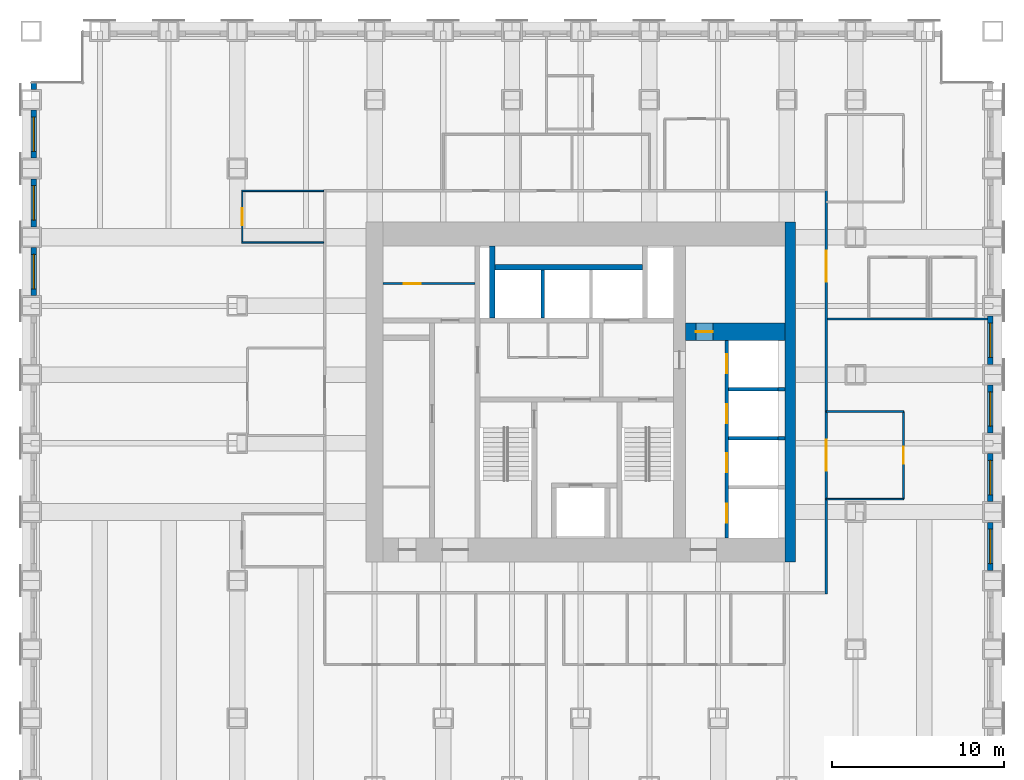
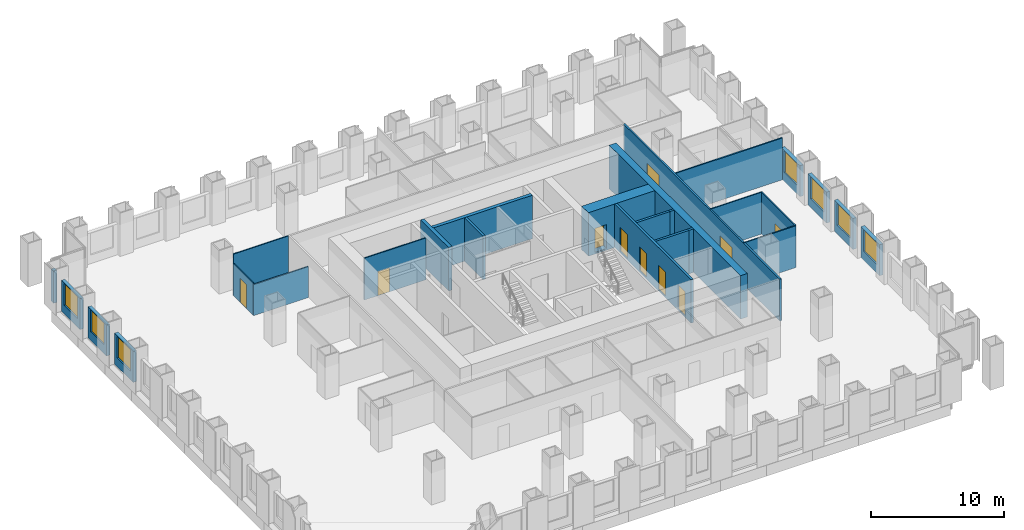
# One storey, part 10 of 14: 27 walls, 10 doors, 7 windows, 17 openings.
"""IFC4 building model written with IfcOpenShell, lengths in metres."""

from ifc_helpers import new_model, si_unit, direction, frame, frame_2d, origin, place, context, subcontext, project, spatial, rectangle, extrude, material, layer, layer_set, type_object, element, fill, save


model = new_model("IFC4")

# Units and contexts
model_context = context("Model", 3, precision=1e-05, world=origin(), true_north=direction((0.0, 1.0)))
body_context = subcontext(model_context, "Body", "Model", "MODEL_VIEW")
ifc_project = project(units=[si_unit("LENGTHUNIT", "METRE"), si_unit("AREAUNIT", "SQUARE_METRE"), si_unit("VOLUMEUNIT", "CUBIC_METRE"), si_unit("PLANEANGLEUNIT", "RADIAN"), si_unit("MASSUNIT", "GRAM", prefix="KILO")], contexts=[model_context])

# Site, building, storey
site_placement = place(None, origin())
site = spatial("IfcSite", under=ifc_project, at=site_placement, CompositionType="ELEMENT")
building_placement = place(site_placement, origin())
building = spatial("IfcBuilding", under=site, at=building_placement, Name="Rimbunsela Tower", CompositionType="ELEMENT")
storey_placement = place(building_placement, frame((0.0, 0.0, 51.0)))
storey = spatial("IfcBuildingStorey", under=building, at=storey_placement, Name="L12", CompositionType="ELEMENT", Elevation=51.0)

# Walls
ifc_material_1 = material(Name="Concrete fc' 80 MPa", Category="concrete")
ifc_layer_1 = layer(ifc_material_1, 0.300048828125)
ifc_layer_set_1 = layer_set([ifc_layer_1], Name="Core internal wall 300")
wall_type_1 = type_object("IfcWallType", Name="Core internal wall 300", PredefinedType="SHEAR", material=ifc_layer_set_1)
wall_1_placement = place(storey_placement, frame((24.85009765625, 31.300048828125, -0.14990234375), z_axis=(0.0, 0.0, 1.0), x_axis=(0.0, 1.0, 0.0)))
element("IfcWall", 1, at=wall_1_placement, inside=storey, type_object=wall_type_1, Name="Riser wall", PredefinedType="SHEAR", context=body_context, shape_type="SweptSolid", body=[
    extrude(rectangle(XDim=4.199951171875, YDim=0.300048828125, at=frame_2d((2.10009765625, 0.0))), origin(), (0.0, 0.0, 1.0), 4.0),
])
wall_2_placement = place(storey_placement, frame((25.0, 34.25, -0.14990234375), z_axis=(0.0, 0.0, 1.0), x_axis=(1.0, 0.0, 0.0)))
element("IfcWall", 2, at=wall_2_placement, inside=storey, type_object=wall_type_1, Name="Lift shaft rear north", PredefinedType="SHEAR", context=body_context, shape_type="SweptSolid", body=[
    extrude(rectangle(XDim=8.60009765625, YDim=0.300048828125, at=frame_2d((4.300048828125, 0.0))), origin(), (0.0, 0.0, 1.0), 4.0),
])

# Wall, opening, door
ifc_material_2 = material(Name="Concrete blockwork", Category="masonry")
ifc_layer_2 = layer(ifc_material_2, 0.10009765625)
ifc_layer_set_2 = layer_set([ifc_layer_2], Name="Core room partition 100")
wall_type_2 = type_object("IfcWallType", Name="Core room partition 100", PredefinedType="PARTITIONING", material=ifc_layer_set_2)
wall_3_placement = place(storey_placement, frame((18.5, 33.300048828125, 0.0), z_axis=(0.0, 0.0, 1.0), x_axis=(1.0, 0.0, 0.0)))
wall_3 = element("IfcWall", 3, at=wall_3_placement, inside=storey, type_object=wall_type_2, Name="Equipment store wall", PredefinedType="PARTITIONING", context=body_context, shape_type="SweptSolid", body=[
    extrude(rectangle(XDim=5.35009765625, YDim=0.10009765625, at=frame_2d((2.675048828125, 0.0))), origin(), (0.0, 0.0, 1.0), 3.85009765625),
])
opening_1_placement = place(wall_3_placement, frame((1.199951171875, 0.0, 0.0)))
opening_1 = element("IfcOpeningElement", 4, at=opening_1_placement, cuts=wall_3, Name="Opening D19", PredefinedType="OPENING", context=body_context, shape_type="SweptSolid", body=[
    extrude(rectangle(XDim=1.0, YDim=2.199951171875, at=frame_2d((0.5, 1.10009765625))), frame((0.0, 0.06005859375, 0.0), z_axis=(0.0, -1.0, 0.0), x_axis=(1.0, 0.0, 0.0)), (0.0, 0.0, 1.0), 0.1201171875),
])
ifc_material_3 = material(Name="Steel door, fire rated", Category="steel")
door_type_1 = type_object("IfcDoorType", Name="Service door 1000 fire rated", OperationType="SINGLE_SWING_LEFT", PredefinedType="DOOR", material=ifc_material_3)
door_1_placement = place(opening_1_placement, origin())
door_1 = element("IfcDoor", 5, at=door_1_placement, inside=storey, type_object=door_type_1, Name="Equipment store door", OperationType="SINGLE_SWING_LEFT", OverallHeight=2.199951171875, OverallWidth=1.0, PredefinedType="DOOR", context=body_context, shape_type="SweptSolid", body=[
    extrude(rectangle(XDim=1.0, YDim=2.199951171875, at=frame_2d((0.5, 1.10009765625))), frame((0.0, 0.02490234375, 0.0), z_axis=(0.0, -1.0, 0.0), x_axis=(1.0, 0.0, 0.0)), (0.0, 0.0, 1.0), 0.050048828125),
])
fill(opening_1, door_1)

ifc_material_4 = material(Name="Concrete fc' 80 MPa", Category="concrete")
ifc_layer_3 = layer(ifc_material_4, 1.0)
ifc_layer_set_3 = layer_set([ifc_layer_3], Name="Core wall 1000")
wall_type_3 = type_object("IfcWallType", Name="Core wall 1000", PredefinedType="SHEAR", material=ifc_layer_set_3)
wall_4_placement = place(storey_placement, frame((36.10009765625, 30.5, -0.14990234375), z_axis=(0.0, 0.0, 1.0), x_axis=(1.0, 0.0, 0.0)))
wall_4 = element("IfcWall", 6, at=wall_4_placement, inside=storey, type_object=wall_type_3, Name="Lift shaft rear east", PredefinedType="SHEAR", context=body_context, shape_type="SweptSolid", body=[
    extrude(rectangle(XDim=5.7998046875, YDim=1.0, at=frame_2d((2.89990234375, 0.0))), origin(), (0.0, 0.0, 1.0), 4.0),
])
opening_2_placement = place(wall_4_placement, frame((0.60009765625, 0.0, 0.14990234375)))
opening_2 = element("IfcOpeningElement", 7, at=opening_2_placement, cuts=wall_4, Name="Opening D19", PredefinedType="OPENING", context=body_context, shape_type="SweptSolid", body=[
    extrude(rectangle(XDim=1.0, YDim=2.199951171875, at=frame_2d((0.5, 1.10009765625))), frame((0.0, 0.510009765625, 0.0), z_axis=(0.0, -1.0, 0.0), x_axis=(1.0, 0.0, 0.0)), (0.0, 0.0, 1.0), 1.02001953125),
])
door_2_placement = place(opening_2_placement, origin())
door_2 = element("IfcDoor", 8, at=door_2_placement, inside=storey, type_object=door_type_1, Name="Communications room door", OperationType="SINGLE_SWING_LEFT", OverallHeight=2.199951171875, OverallWidth=1.0, PredefinedType="DOOR", context=body_context, shape_type="SweptSolid", body=[
    extrude(rectangle(XDim=1.0, YDim=2.199951171875, at=frame_2d((0.5, 1.10009765625))), frame((0.0, 0.02490234375, 0.0), z_axis=(0.0, -1.0, 0.0), x_axis=(1.0, 0.0, 0.0)), (0.0, 0.0, 1.0), 0.050048828125),
])
fill(opening_2, door_2)

# Walls
ifc_material_5 = material(Name="Concrete fc' 80 MPa", Category="concrete")
ifc_layer_4 = layer(ifc_material_5, 0.60009765625)
ifc_layer_set_4 = layer_set([ifc_layer_4], Name="Core wall 600")
wall_type_4 = type_object("IfcWallType", Name="Core wall 600", PredefinedType="SHEAR", material=ifc_layer_set_4)
wall_5_placement = place(storey_placement, frame((42.199951171875, 17.10009765625, -0.14990234375), z_axis=(0.0, 0.0, 1.0), x_axis=(0.0, 1.0, 0.0)))
element("IfcWall", 9, at=wall_5_placement, inside=storey, type_object=wall_type_4, Name="Core wall east", PredefinedType="SHEAR", context=body_context, shape_type="SweptSolid", body=[
    extrude(rectangle(XDim=19.7998046875, YDim=0.60009765625, at=frame_2d((9.89990234375, 0.0))), origin(), (0.0, 0.0, 1.0), 4.0),
])
ifc_material_6 = material(Name="Concrete blockwork", Category="masonry")
ifc_layer_5 = layer(ifc_material_6, 0.199951171875)
ifc_layer_set_5 = layer_set([ifc_layer_5], Name="Lift shaft wall 200")
wall_type_5 = type_object("IfcWallType", Name="Lift shaft wall 200", PredefinedType="SOLIDWALL", material=ifc_layer_set_5)
wall_6_placement = place(storey_placement, frame((27.800048828125, 31.300048828125, -0.14990234375), z_axis=(0.0, 0.0, 1.0), x_axis=(0.0, 1.0, 0.0)))
element("IfcWall", 10, at=wall_6_placement, inside=storey, type_object=wall_type_5, Name="Lift shaft separation", PredefinedType="SOLIDWALL", context=body_context, shape_type="SweptSolid", body=[
    extrude(rectangle(XDim=2.800048828125, YDim=0.199951171875, at=frame_2d((1.39990234375, 0.0))), origin(), (0.0, 0.0, 1.0), 4.0),
])

# Wall, openings, doors
wall_7_placement = place(storey_placement, frame((38.5, 18.5, -0.14990234375), z_axis=(0.0, 0.0, 1.0), x_axis=(0.0, 1.0, 0.0)))
wall_7 = element("IfcWall", 11, at=wall_7_placement, inside=storey, type_object=wall_type_5, Name="Lift shaft front east", PredefinedType="SOLIDWALL", context=body_context, shape_type="SweptSolid", body=[
    extrude(rectangle(XDim=11.5, YDim=0.199951171875, at=frame_2d((5.75, 0.0))), origin(), (0.0, 0.0, 1.0), 4.0),
])
opening_3_placement = place(wall_7_placement, frame((0.875, 0.0, 0.14990234375)))
opening_3 = element("IfcOpeningElement", 12, at=opening_3_placement, cuts=wall_7, Name="Opening LD1", PredefinedType="OPENING", context=body_context, shape_type="SweptSolid", body=[
    extrude(rectangle(XDim=1.10009765625, YDim=2.199951171875, at=frame_2d((0.550048828125, 1.10009765625))), frame((0.0, 0.10986328125, 0.0), z_axis=(0.0, -1.0, 0.0), x_axis=(1.0, 0.0, 0.0)), (0.0, 0.0, 1.0), 0.219970703125),
])
opening_4_placement = place(wall_7_placement, frame((3.824951171875, 0.0, 0.14990234375)))
opening_4 = element("IfcOpeningElement", 13, at=opening_4_placement, cuts=wall_7, Name="Opening LD1", PredefinedType="OPENING", context=body_context, shape_type="SweptSolid", body=[
    extrude(rectangle(XDim=1.10009765625, YDim=2.199951171875, at=frame_2d((0.550048828125, 1.10009765625))), frame((0.0, 0.10986328125, 0.0), z_axis=(0.0, -1.0, 0.0), x_axis=(1.0, 0.0, 0.0)), (0.0, 0.0, 1.0), 0.219970703125),
])
opening_5_placement = place(wall_7_placement, frame((6.675048828125, 0.0, 0.14990234375)))
opening_5 = element("IfcOpeningElement", 14, at=opening_5_placement, cuts=wall_7, Name="Opening LD1", PredefinedType="OPENING", context=body_context, shape_type="SweptSolid", body=[
    extrude(rectangle(XDim=1.10009765625, YDim=2.199951171875, at=frame_2d((0.550048828125, 1.10009765625))), frame((0.0, 0.10986328125, 0.0), z_axis=(0.0, -1.0, 0.0), x_axis=(1.0, 0.0, 0.0)), (0.0, 0.0, 1.0), 0.219970703125),
])
opening_6_placement = place(wall_7_placement, frame((9.574951171875, 0.0, 0.14990234375)))
opening_6 = element("IfcOpeningElement", 15, at=opening_6_placement, cuts=wall_7, Name="Opening LD1", PredefinedType="OPENING", context=body_context, shape_type="SweptSolid", body=[
    extrude(rectangle(XDim=1.10009765625, YDim=2.199951171875, at=frame_2d((0.550048828125, 1.10009765625))), frame((0.0, 0.10986328125, 0.0), z_axis=(0.0, -1.0, 0.0), x_axis=(1.0, 0.0, 0.0)), (0.0, 0.0, 1.0), 0.219970703125),
])
ifc_material_7 = material(Name="Steel door, fire rated", Category="steel")
door_type_2 = type_object("IfcDoorType", Name="Lift landing door 1100", OperationType="DOUBLE_DOOR_SLIDING", PredefinedType="DOOR", material=ifc_material_7)
door_3_placement = place(opening_3_placement, origin())
door_3 = element("IfcDoor", 16, at=door_3_placement, inside=storey, type_object=door_type_2, Name="Lift landing door LL1", OperationType="DOUBLE_DOOR_SLIDING", OverallHeight=2.199951171875, OverallWidth=1.10009765625, PredefinedType="DOOR", context=body_context, shape_type="SweptSolid", body=[
    extrude(rectangle(XDim=1.10009765625, YDim=2.199951171875, at=frame_2d((0.550048828125, 1.10009765625))), frame((0.0, 0.02490234375, 0.0), z_axis=(0.0, -1.0, 0.0), x_axis=(1.0, 0.0, 0.0)), (0.0, 0.0, 1.0), 0.050048828125),
])
fill(opening_3, door_3)
door_4_placement = place(opening_4_placement, origin())
door_4 = element("IfcDoor", 17, at=door_4_placement, inside=storey, type_object=door_type_2, Name="Lift landing door LL2", OperationType="DOUBLE_DOOR_SLIDING", OverallHeight=2.199951171875, OverallWidth=1.10009765625, PredefinedType="DOOR", context=body_context, shape_type="SweptSolid", body=[
    extrude(rectangle(XDim=1.10009765625, YDim=2.199951171875, at=frame_2d((0.550048828125, 1.10009765625))), frame((0.0, 0.02490234375, 0.0), z_axis=(0.0, -1.0, 0.0), x_axis=(1.0, 0.0, 0.0)), (0.0, 0.0, 1.0), 0.050048828125),
])
fill(opening_4, door_4)
door_5_placement = place(opening_5_placement, origin())
door_5 = element("IfcDoor", 18, at=door_5_placement, inside=storey, type_object=door_type_2, Name="Lift landing door LL3", OperationType="DOUBLE_DOOR_SLIDING", OverallHeight=2.199951171875, OverallWidth=1.10009765625, PredefinedType="DOOR", context=body_context, shape_type="SweptSolid", body=[
    extrude(rectangle(XDim=1.10009765625, YDim=2.199951171875, at=frame_2d((0.550048828125, 1.10009765625))), frame((0.0, 0.02490234375, 0.0), z_axis=(0.0, -1.0, 0.0), x_axis=(1.0, 0.0, 0.0)), (0.0, 0.0, 1.0), 0.050048828125),
])
fill(opening_5, door_5)
door_6_placement = place(opening_6_placement, origin())
door_6 = element("IfcDoor", 19, at=door_6_placement, inside=storey, type_object=door_type_2, Name="Lift landing door LL4", OperationType="DOUBLE_DOOR_SLIDING", OverallHeight=2.199951171875, OverallWidth=1.10009765625, PredefinedType="DOOR", context=body_context, shape_type="SweptSolid", body=[
    extrude(rectangle(XDim=1.10009765625, YDim=2.199951171875, at=frame_2d((0.550048828125, 1.10009765625))), frame((0.0, 0.02490234375, 0.0), z_axis=(0.0, -1.0, 0.0), x_axis=(1.0, 0.0, 0.0)), (0.0, 0.0, 1.0), 0.050048828125),
])
fill(opening_6, door_6)

# Walls
wall_8_placement = place(storey_placement, frame((38.60009765625, 24.300048828125, -0.14990234375), z_axis=(0.0, 0.0, 1.0), x_axis=(1.0, 0.0, 0.0)))
element("IfcWall", 20, at=wall_8_placement, inside=storey, type_object=wall_type_5, Name="Lift shaft separation", PredefinedType="SOLIDWALL", context=body_context, shape_type="SweptSolid", body=[
    extrude(rectangle(XDim=2.89990234375, YDim=0.199951171875, at=frame_2d((1.449951171875, 0.0))), origin(), (0.0, 0.0, 1.0), 4.0),
])
wall_9_placement = place(storey_placement, frame((41.5, 24.300048828125, -0.14990234375), z_axis=(0.0, 0.0, 1.0), x_axis=(1.0, 0.0, 0.0)))
element("IfcWall", 21, at=wall_9_placement, inside=storey, type_object=wall_type_5, Name="Lift shaft separation", PredefinedType="SOLIDWALL", context=body_context, shape_type="SweptSolid", body=[
    extrude(rectangle(XDim=0.39990234375, YDim=0.199951171875, at=frame_2d((0.199951171875, 0.0))), origin(), (0.0, 0.0, 1.0), 4.0),
])
wall_10_placement = place(storey_placement, frame((38.60009765625, 27.14990234375, -0.14990234375), z_axis=(0.0, 0.0, 1.0), x_axis=(1.0, 0.0, 0.0)))
element("IfcWall", 22, at=wall_10_placement, inside=storey, type_object=wall_type_5, Name="Lift shaft separation", PredefinedType="SOLIDWALL", context=body_context, shape_type="SweptSolid", body=[
    extrude(rectangle(XDim=2.89990234375, YDim=0.199951171875, at=frame_2d((1.449951171875, 0.0))), origin(), (0.0, 0.0, 1.0), 4.0),
])
wall_11_placement = place(storey_placement, frame((41.5, 27.14990234375, -0.14990234375), z_axis=(0.0, 0.0, 1.0), x_axis=(1.0, 0.0, 0.0)))
element("IfcWall", 23, at=wall_11_placement, inside=storey, type_object=wall_type_5, Name="Lift shaft separation", PredefinedType="SOLIDWALL", context=body_context, shape_type="SweptSolid", body=[
    extrude(rectangle(XDim=0.39990234375, YDim=0.199951171875, at=frame_2d((0.199951171875, 0.0))), origin(), (0.0, 0.0, 1.0), 4.0),
])
ifc_material_8 = material(Name="Gypsum board on steel studs", Category="steel")
ifc_layer_6 = layer(ifc_material_8, 0.10009765625)
ifc_layer_set_6 = layer_set([ifc_layer_6], Name="Office partition 100")
wall_type_6 = type_object("IfcWallType", Name="Office partition 100", PredefinedType="PARTITIONING", material=ifc_layer_set_6)
wall_12_placement = place(storey_placement, frame((10.25, 35.699951171875, 0.0), z_axis=(0.0, 0.0, 1.0), x_axis=(1.0, 0.0, 0.0)))
element("IfcWall", 24, at=wall_12_placement, inside=storey, type_object=wall_type_6, Name="Office partition", PredefinedType="PARTITIONING", context=body_context, shape_type="SweptSolid", body=[
    extrude(rectangle(XDim=4.77490234375, YDim=0.10009765625, at=frame_2d((2.387451171875, 0.0))), origin(), (0.0, 0.0, 1.0), 2.85009765625),
])
wall_13_placement = place(storey_placement, frame((10.25, 38.699951171875, 0.0), z_axis=(0.0, 0.0, 1.0), x_axis=(1.0, 0.0, 0.0)))
element("IfcWall", 25, at=wall_13_placement, inside=storey, type_object=wall_type_6, Name="Office partition", PredefinedType="PARTITIONING", context=body_context, shape_type="SweptSolid", body=[
    extrude(rectangle(XDim=4.77490234375, YDim=0.10009765625, at=frame_2d((2.387451171875, 0.0))), origin(), (0.0, 0.0, 1.0), 3.85009765625),
])

# Wall, opening, door
wall_14_placement = place(storey_placement, frame((10.300048828125, 35.75, 0.0), z_axis=(0.0, 0.0, 1.0), x_axis=(0.0, 1.0, 0.0)))
wall_14 = element("IfcWall", 26, at=wall_14_placement, inside=storey, type_object=wall_type_6, Name="Office partition", PredefinedType="PARTITIONING", context=body_context, shape_type="SweptSolid", body=[
    extrude(rectangle(XDim=2.89990234375, YDim=0.10009765625, at=frame_2d((1.449951171875, 0.0))), origin(), (0.0, 0.0, 1.0), 2.949951171875),
])
opening_7_placement = place(wall_14_placement, frame((0.949951171875, 0.0, 0.0)))
opening_7 = element("IfcOpeningElement", 27, at=opening_7_placement, cuts=wall_14, Name="Opening D16", PredefinedType="OPENING", context=body_context, shape_type="SweptSolid", body=[
    extrude(rectangle(XDim=1.0, YDim=2.199951171875, at=frame_2d((0.5, 1.10009765625))), frame((0.0, 0.06005859375, 0.0), z_axis=(0.0, -1.0, 0.0), x_axis=(1.0, 0.0, 0.0)), (0.0, 0.0, 1.0), 0.1201171875),
])
ifc_material_9 = material(Name="Timber door", Category="wood")
door_type_3 = type_object("IfcDoorType", Name="Office door 1000", OperationType="SINGLE_SWING_LEFT", PredefinedType="DOOR", material=ifc_material_9)
door_7_placement = place(opening_7_placement, origin())
door_7 = element("IfcDoor", 28, at=door_7_placement, inside=storey, type_object=door_type_3, Name="Office door", OperationType="SINGLE_SWING_LEFT", OverallHeight=2.199951171875, OverallWidth=1.0, PredefinedType="DOOR", context=body_context, shape_type="SweptSolid", body=[
    extrude(rectangle(XDim=1.0, YDim=2.199951171875, at=frame_2d((0.5, 1.10009765625))), frame((0.0, 0.02490234375, 0.0), z_axis=(0.0, -1.0, 0.0), x_axis=(1.0, 0.0, 0.0)), (0.0, 0.0, 1.0), 0.050048828125),
])
fill(opening_7, door_7)

# Wall
wall_15_placement = place(storey_placement, frame((44.300048828125, 20.75, 0.0), z_axis=(0.0, 0.0, 1.0), x_axis=(1.0, 0.0, 0.0)))
element("IfcWall", 29, at=wall_15_placement, inside=storey, type_object=wall_type_6, Name="Office partition", PredefinedType="PARTITIONING", context=body_context, shape_type="SweptSolid", body=[
    extrude(rectangle(XDim=4.5, YDim=0.10009765625, at=frame_2d((2.25, 0.0))), origin(), (0.0, 0.0, 1.0), 3.85009765625),
])

# Wall, opening, door
wall_16_placement = place(storey_placement, frame((48.800048828125, 20.75, 0.0), z_axis=(0.0, 0.0, 1.0), x_axis=(0.0, 1.0, 0.0)))
wall_16 = element("IfcWall", 30, at=wall_16_placement, inside=storey, type_object=wall_type_6, Name="Office partition", PredefinedType="PARTITIONING", context=body_context, shape_type="SweptSolid", body=[
    extrude(rectangle(XDim=5.10009765625, YDim=0.10009765625, at=frame_2d((2.550048828125, 0.0))), origin(), (0.0, 0.0, 1.0), 3.85009765625),
])
opening_8_placement = place(wall_16_placement, frame((2.050048828125, 0.0, 0.0)))
opening_8 = element("IfcOpeningElement", 31, at=opening_8_placement, cuts=wall_16, Name="Opening D17", PredefinedType="OPENING", context=body_context, shape_type="SweptSolid", body=[
    extrude(rectangle(XDim=1.0, YDim=2.199951171875, at=frame_2d((0.5, 1.10009765625))), frame((0.0, 0.06005859375, 0.0), z_axis=(0.0, -1.0, 0.0), x_axis=(1.0, 0.0, 0.0)), (0.0, 0.0, 1.0), 0.1201171875),
])
ifc_material_10 = material(Name="Glazed aluminium door", Category="aluminium")
door_type_4 = type_object("IfcDoorType", Name="Meeting room door 1000 glazed", OperationType="SINGLE_SWING_RIGHT", PredefinedType="DOOR", material=ifc_material_10)
door_8_placement = place(opening_8_placement, origin())
door_8 = element("IfcDoor", 32, at=door_8_placement, inside=storey, type_object=door_type_4, Name="Reception door", OperationType="SINGLE_SWING_RIGHT", OverallHeight=2.199951171875, OverallWidth=1.0, PredefinedType="DOOR", context=body_context, shape_type="SweptSolid", body=[
    extrude(rectangle(XDim=1.0, YDim=2.199951171875, at=frame_2d((0.5, 1.10009765625))), frame((0.0, 0.02490234375, 0.0), z_axis=(0.0, -1.0, 0.0), x_axis=(1.0, 0.0, 0.0)), (0.0, 0.0, 1.0), 0.050048828125),
])
fill(opening_8, door_8)

# Wall
wall_17_placement = place(storey_placement, frame((48.800048828125, 25.85009765625, 0.0), z_axis=(0.0, 0.0, 1.0), x_axis=(-1.0, 0.0, 0.0)))
element("IfcWall", 33, at=wall_17_placement, inside=storey, type_object=wall_type_6, Name="Office partition", PredefinedType="PARTITIONING", context=body_context, shape_type="SweptSolid", body=[
    extrude(rectangle(XDim=4.5, YDim=0.10009765625, at=frame_2d((2.25, 0.0))), origin(), (0.0, 0.0, 1.0), 3.85009765625),
])

# Wall, opening, window
ifc_material_11 = material(Name="Precast concrete fc' 35 MPa", Category="concrete")
ifc_layer_7 = layer(ifc_material_11, 0.300048828125)
ifc_layer_set_7 = layer_set([ifc_layer_7], Name="Precast concrete fc' 35 MPa")
wall_type_7 = type_object("IfcWallType", Name="Precast facade panel 300", PredefinedType="ELEMENTEDWALL", material=ifc_layer_set_7)
wall_18_placement = place(storey_placement, frame((53.85009765625, 16.60009765625, 0.0), z_axis=(0.0, 0.0, 1.0), x_axis=(0.0, 1.0, 0.0)))
wall_18 = element("IfcWall", 34, at=wall_18_placement, inside=storey, type_object=wall_type_7, Name="Facade panel E L12", PredefinedType="ELEMENTEDWALL", context=body_context, shape_type="SweptSolid", body=[
    extrude(rectangle(XDim=2.7998046875, YDim=0.300048828125, at=frame_2d((1.39990234375, 0.0))), origin(), (0.0, 0.0, 1.0), 2.85009765625),
])
opening_9_placement = place(wall_18_placement, frame((0.39990234375, 0.0, 0.800048828125)))
opening_9 = element("IfcOpeningElement", 35, at=opening_9_placement, cuts=wall_18, Name="Opening W1", PredefinedType="OPENING", context=body_context, shape_type="SweptSolid", body=[
    extrude(rectangle(XDim=2.0, YDim=2.0, at=frame_2d((1.0, 1.0))), frame((0.0, 0.159912109375, 0.0), z_axis=(0.0, -1.0, 0.0), x_axis=(1.0, 0.0, 0.0)), (0.0, 0.0, 1.0), 0.320068359375),
])
ifc_material_12 = material(Name="Clear glass in aluminium frame", Category="aluminium")
window_type = type_object("IfcWindowType", Name="Window W1 2000x2000", PartitioningType="DOUBLE_PANEL_VERTICAL", PredefinedType="WINDOW", material=ifc_material_12)
window_1_placement = place(opening_9_placement, origin())
window_1 = element("IfcWindow", 36, at=window_1_placement, inside=storey, type_object=window_type, Name="Window L12", OverallHeight=2.0, OverallWidth=2.0, PartitioningType="SINGLE_PANEL", PredefinedType="WINDOW", context=body_context, shape_type="SweptSolid", body=[
    extrude(rectangle(XDim=2.0, YDim=2.0, at=frame_2d((1.0, 1.0))), frame((0.0, 0.030029296875, 0.0), z_axis=(0.0, -1.0, 0.0), x_axis=(1.0, 0.0, 0.0)), (0.0, 0.0, 1.0), 0.06005859375),
])
fill(opening_9, window_1)

wall_19_placement = place(storey_placement, frame((53.85009765625, 20.60009765625, 0.0), z_axis=(0.0, 0.0, 1.0), x_axis=(0.0, 1.0, 0.0)))
wall_19 = element("IfcWall", 37, at=wall_19_placement, inside=storey, type_object=wall_type_7, Name="Facade panel E L12", PredefinedType="ELEMENTEDWALL", context=body_context, shape_type="SweptSolid", body=[
    extrude(rectangle(XDim=2.7998046875, YDim=0.300048828125, at=frame_2d((1.39990234375, 0.0))), origin(), (0.0, 0.0, 1.0), 2.85009765625),
])
opening_10_placement = place(wall_19_placement, frame((0.39990234375, 0.0, 0.800048828125)))
opening_10 = element("IfcOpeningElement", 38, at=opening_10_placement, cuts=wall_19, Name="Opening W1", PredefinedType="OPENING", context=body_context, shape_type="SweptSolid", body=[
    extrude(rectangle(XDim=2.0, YDim=2.0, at=frame_2d((1.0, 1.0))), frame((0.0, 0.159912109375, 0.0), z_axis=(0.0, -1.0, 0.0), x_axis=(1.0, 0.0, 0.0)), (0.0, 0.0, 1.0), 0.320068359375),
])
window_2_placement = place(opening_10_placement, origin())
window_2 = element("IfcWindow", 39, at=window_2_placement, inside=storey, type_object=window_type, Name="Window L12", OverallHeight=2.0, OverallWidth=2.0, PartitioningType="SINGLE_PANEL", PredefinedType="WINDOW", context=body_context, shape_type="SweptSolid", body=[
    extrude(rectangle(XDim=2.0, YDim=2.0, at=frame_2d((1.0, 1.0))), frame((0.0, 0.030029296875, 0.0), z_axis=(0.0, -1.0, 0.0), x_axis=(1.0, 0.0, 0.0)), (0.0, 0.0, 1.0), 0.06005859375),
])
fill(opening_10, window_2)

wall_20_placement = place(storey_placement, frame((53.85009765625, 24.60009765625, 0.0), z_axis=(0.0, 0.0, 1.0), x_axis=(0.0, 1.0, 0.0)))
wall_20 = element("IfcWall", 40, at=wall_20_placement, inside=storey, type_object=wall_type_7, Name="Facade panel E L12", PredefinedType="ELEMENTEDWALL", context=body_context, shape_type="SweptSolid", body=[
    extrude(rectangle(XDim=2.7998046875, YDim=0.300048828125, at=frame_2d((1.39990234375, 0.0))), origin(), (0.0, 0.0, 1.0), 2.85009765625),
])
opening_11_placement = place(wall_20_placement, frame((0.39990234375, 0.0, 0.800048828125)))
opening_11 = element("IfcOpeningElement", 41, at=opening_11_placement, cuts=wall_20, Name="Opening W1", PredefinedType="OPENING", context=body_context, shape_type="SweptSolid", body=[
    extrude(rectangle(XDim=2.0, YDim=2.0, at=frame_2d((1.0, 1.0))), frame((0.0, 0.159912109375, 0.0), z_axis=(0.0, -1.0, 0.0), x_axis=(1.0, 0.0, 0.0)), (0.0, 0.0, 1.0), 0.320068359375),
])
window_3_placement = place(opening_11_placement, origin())
window_3 = element("IfcWindow", 42, at=window_3_placement, inside=storey, type_object=window_type, Name="Window L12", OverallHeight=2.0, OverallWidth=2.0, PartitioningType="SINGLE_PANEL", PredefinedType="WINDOW", context=body_context, shape_type="SweptSolid", body=[
    extrude(rectangle(XDim=2.0, YDim=2.0, at=frame_2d((1.0, 1.0))), frame((0.0, 0.030029296875, 0.0), z_axis=(0.0, -1.0, 0.0), x_axis=(1.0, 0.0, 0.0)), (0.0, 0.0, 1.0), 0.06005859375),
])
fill(opening_11, window_3)

wall_21_placement = place(storey_placement, frame((53.85009765625, 28.60009765625, 0.0), z_axis=(0.0, 0.0, 1.0), x_axis=(0.0, 1.0, 0.0)))
wall_21 = element("IfcWall", 43, at=wall_21_placement, inside=storey, type_object=wall_type_7, Name="Facade panel E L12", PredefinedType="ELEMENTEDWALL", context=body_context, shape_type="SweptSolid", body=[
    extrude(rectangle(XDim=2.7998046875, YDim=0.300048828125, at=frame_2d((1.39990234375, 0.0))), origin(), (0.0, 0.0, 1.0), 2.85009765625),
])
opening_12_placement = place(wall_21_placement, frame((0.39990234375, 0.0, 0.800048828125)))
opening_12 = element("IfcOpeningElement", 44, at=opening_12_placement, cuts=wall_21, Name="Opening W1", PredefinedType="OPENING", context=body_context, shape_type="SweptSolid", body=[
    extrude(rectangle(XDim=2.0, YDim=2.0, at=frame_2d((1.0, 1.0))), frame((0.0, 0.159912109375, 0.0), z_axis=(0.0, -1.0, 0.0), x_axis=(1.0, 0.0, 0.0)), (0.0, 0.0, 1.0), 0.320068359375),
])
window_4_placement = place(opening_12_placement, origin())
window_4 = element("IfcWindow", 45, at=window_4_placement, inside=storey, type_object=window_type, Name="Window L12", OverallHeight=2.0, OverallWidth=2.0, PartitioningType="SINGLE_PANEL", PredefinedType="WINDOW", context=body_context, shape_type="SweptSolid", body=[
    extrude(rectangle(XDim=2.0, YDim=2.0, at=frame_2d((1.0, 1.0))), frame((0.0, 0.030029296875, 0.0), z_axis=(0.0, -1.0, 0.0), x_axis=(1.0, 0.0, 0.0)), (0.0, 0.0, 1.0), 0.06005859375),
])
fill(opening_12, window_4)

wall_22_placement = place(storey_placement, frame((-1.85009765625, 35.39990234375, 0.0), z_axis=(0.0, 0.0, 1.0), x_axis=(0.0, -1.0, 0.0)))
wall_22 = element("IfcWall", 46, at=wall_22_placement, inside=storey, type_object=wall_type_7, Name="Facade panel W L12", PredefinedType="ELEMENTEDWALL", context=body_context, shape_type="SweptSolid", body=[
    extrude(rectangle(XDim=2.7998046875, YDim=0.300048828125, at=frame_2d((1.39990234375, 0.0))), origin(), (0.0, 0.0, 1.0), 2.85009765625),
])
opening_13_placement = place(wall_22_placement, frame((0.39990234375, 0.0, 0.800048828125)))
opening_13 = element("IfcOpeningElement", 47, at=opening_13_placement, cuts=wall_22, Name="Opening W1", PredefinedType="OPENING", context=body_context, shape_type="SweptSolid", body=[
    extrude(rectangle(XDim=2.0, YDim=2.0, at=frame_2d((1.0, 1.0))), frame((0.0, 0.159912109375, 0.0), z_axis=(0.0, -1.0, 0.0), x_axis=(1.0, 0.0, 0.0)), (0.0, 0.0, 1.0), 0.320068359375),
])
window_5_placement = place(opening_13_placement, origin())
window_5 = element("IfcWindow", 48, at=window_5_placement, inside=storey, type_object=window_type, Name="Window L12", OverallHeight=2.0, OverallWidth=2.0, PartitioningType="SINGLE_PANEL", PredefinedType="WINDOW", context=body_context, shape_type="SweptSolid", body=[
    extrude(rectangle(XDim=2.0, YDim=2.0, at=frame_2d((1.0, 1.0))), frame((0.0, 0.030029296875, 0.0), z_axis=(0.0, -1.0, 0.0), x_axis=(1.0, 0.0, 0.0)), (0.0, 0.0, 1.0), 0.06005859375),
])
fill(opening_13, window_5)

wall_23_placement = place(storey_placement, frame((-1.85009765625, 39.39990234375, 0.0), z_axis=(0.0, 0.0, 1.0), x_axis=(0.0, -1.0, 0.0)))
wall_23 = element("IfcWall", 49, at=wall_23_placement, inside=storey, type_object=wall_type_7, Name="Facade panel W L12", PredefinedType="ELEMENTEDWALL", context=body_context, shape_type="SweptSolid", body=[
    extrude(rectangle(XDim=2.7998046875, YDim=0.300048828125, at=frame_2d((1.39990234375, 0.0))), origin(), (0.0, 0.0, 1.0), 2.85009765625),
])
opening_14_placement = place(wall_23_placement, frame((0.39990234375, 0.0, 0.800048828125)))
opening_14 = element("IfcOpeningElement", 50, at=opening_14_placement, cuts=wall_23, Name="Opening W1", PredefinedType="OPENING", context=body_context, shape_type="SweptSolid", body=[
    extrude(rectangle(XDim=2.0, YDim=2.0, at=frame_2d((1.0, 1.0))), frame((0.0, 0.159912109375, 0.0), z_axis=(0.0, -1.0, 0.0), x_axis=(1.0, 0.0, 0.0)), (0.0, 0.0, 1.0), 0.320068359375),
])
window_6_placement = place(opening_14_placement, origin())
window_6 = element("IfcWindow", 51, at=window_6_placement, inside=storey, type_object=window_type, Name="Window L12", OverallHeight=2.0, OverallWidth=2.0, PartitioningType="SINGLE_PANEL", PredefinedType="WINDOW", context=body_context, shape_type="SweptSolid", body=[
    extrude(rectangle(XDim=2.0, YDim=2.0, at=frame_2d((1.0, 1.0))), frame((0.0, 0.030029296875, 0.0), z_axis=(0.0, -1.0, 0.0), x_axis=(1.0, 0.0, 0.0)), (0.0, 0.0, 1.0), 0.06005859375),
])
fill(opening_14, window_6)

wall_24_placement = place(storey_placement, frame((-1.85009765625, 43.39990234375, 0.0), z_axis=(0.0, 0.0, 1.0), x_axis=(0.0, -1.0, 0.0)))
wall_24 = element("IfcWall", 52, at=wall_24_placement, inside=storey, type_object=wall_type_7, Name="Facade panel W L12", PredefinedType="ELEMENTEDWALL", context=body_context, shape_type="SweptSolid", body=[
    extrude(rectangle(XDim=2.7998046875, YDim=0.300048828125, at=frame_2d((1.39990234375, 0.0))), origin(), (0.0, 0.0, 1.0), 2.85009765625),
])
opening_15_placement = place(wall_24_placement, frame((0.39990234375, 0.0, 0.800048828125)))
opening_15 = element("IfcOpeningElement", 53, at=opening_15_placement, cuts=wall_24, Name="Opening W1", PredefinedType="OPENING", context=body_context, shape_type="SweptSolid", body=[
    extrude(rectangle(XDim=2.0, YDim=2.0, at=frame_2d((1.0, 1.0))), frame((0.0, 0.159912109375, 0.0), z_axis=(0.0, -1.0, 0.0), x_axis=(1.0, 0.0, 0.0)), (0.0, 0.0, 1.0), 0.320068359375),
])
window_7_placement = place(opening_15_placement, origin())
window_7 = element("IfcWindow", 54, at=window_7_placement, inside=storey, type_object=window_type, Name="Window L12", OverallHeight=2.0, OverallWidth=2.0, PartitioningType="SINGLE_PANEL", PredefinedType="WINDOW", context=body_context, shape_type="SweptSolid", body=[
    extrude(rectangle(XDim=2.0, YDim=2.0, at=frame_2d((1.0, 1.0))), frame((0.0, 0.030029296875, 0.0), z_axis=(0.0, -1.0, 0.0), x_axis=(1.0, 0.0, 0.0)), (0.0, 0.0, 1.0), 0.06005859375),
])
fill(opening_15, window_7)

# Wall
wall_25_placement = place(storey_placement, frame((-1.85009765625, 44.969970703125, 0.0), z_axis=(0.0, 0.0, 1.0), x_axis=(0.0, -1.0, 0.0)))
element("IfcWall", 55, at=wall_25_placement, inside=storey, type_object=wall_type_7, Name="Facade panel W L12", PredefinedType="ELEMENTEDWALL", context=body_context, shape_type="SweptSolid", body=[
    extrude(rectangle(XDim=0.369873046875, YDim=0.300048828125, at=frame_2d((0.18505859375, 0.0))), origin(), (0.0, 0.0, 1.0), 2.949951171875),
])

# Wall, openings, doors
ifc_material_13 = material(Name="Fire-rated gypsum board on steel studs, EI 60", Category="steel")
ifc_layer_8 = layer(ifc_material_13, 0.14990234375)
ifc_layer_set_8 = layer_set([ifc_layer_8], Name="Rated corridor wall 150")
wall_type_8 = type_object("IfcWallType", Name="Rated corridor wall 150", PredefinedType="PARTITIONING", material=ifc_layer_set_8)
wall_26_placement = place(storey_placement, frame((44.300048828125, 15.22509765625, 0.0), z_axis=(0.0, 0.0, 1.0), x_axis=(0.0, 1.0, 0.0)))
wall_26 = element("IfcWall", 56, at=wall_26_placement, inside=storey, type_object=wall_type_8, Name="Corridor wall east", PredefinedType="PARTITIONING", context=body_context, shape_type="SweptSolid", body=[
    extrude(rectangle(XDim=23.5498046875, YDim=0.14990234375, at=frame_2d((11.77490234375, 0.0))), origin(), (0.0, 0.0, 1.0), 3.85009765625),
])
opening_16_placement = place(wall_26_placement, frame((7.175048828125, 0.0, 0.0)))
opening_16 = element("IfcOpeningElement", 57, at=opening_16_placement, cuts=wall_26, Name="Opening D09", PredefinedType="OPENING", context=body_context, shape_type="SweptSolid", body=[
    extrude(rectangle(XDim=1.800048828125, YDim=2.39990234375, at=frame_2d((0.89990234375, 1.199951171875))), frame((0.0, 0.0849609375, 0.0), z_axis=(0.0, -1.0, 0.0), x_axis=(1.0, 0.0, 0.0)), (0.0, 0.0, 1.0), 0.169921875),
])
opening_17_placement = place(wall_26_placement, frame((18.175048828125, 0.0, 0.0)))
opening_17 = element("IfcOpeningElement", 58, at=opening_17_placement, cuts=wall_26, Name="Opening D09", PredefinedType="OPENING", context=body_context, shape_type="SweptSolid", body=[
    extrude(rectangle(XDim=1.800048828125, YDim=2.39990234375, at=frame_2d((0.89990234375, 1.199951171875))), frame((0.0, 0.0849609375, 0.0), z_axis=(0.0, -1.0, 0.0), x_axis=(1.0, 0.0, 0.0)), (0.0, 0.0, 1.0), 0.169921875),
])
ifc_material_14 = material(Name="Glazed aluminium door, fire rated", Category="aluminium")
door_type_5 = type_object("IfcDoorType", Name="Tenancy door 1800 glazed", OperationType="DOUBLE_DOOR_DOUBLE_SWING", PredefinedType="DOOR", material=ifc_material_14)
door_9_placement = place(opening_16_placement, origin())
door_9 = element("IfcDoor", 59, at=door_9_placement, inside=storey, type_object=door_type_5, Name="Tenancy door", OperationType="DOUBLE_DOOR_DOUBLE_SWING", OverallHeight=2.39990234375, OverallWidth=1.800048828125, PredefinedType="DOOR", context=body_context, shape_type="SweptSolid", body=[
    extrude(rectangle(XDim=1.800048828125, YDim=2.39990234375, at=frame_2d((0.89990234375, 1.199951171875))), frame((0.0, 0.02490234375, 0.0), z_axis=(0.0, -1.0, 0.0), x_axis=(1.0, 0.0, 0.0)), (0.0, 0.0, 1.0), 0.050048828125),
])
fill(opening_16, door_9)
door_10_placement = place(opening_17_placement, origin())
door_10 = element("IfcDoor", 60, at=door_10_placement, inside=storey, type_object=door_type_5, Name="Tenancy door", OperationType="DOUBLE_DOOR_DOUBLE_SWING", OverallHeight=2.39990234375, OverallWidth=1.800048828125, PredefinedType="DOOR", context=body_context, shape_type="SweptSolid", body=[
    extrude(rectangle(XDim=1.800048828125, YDim=2.39990234375, at=frame_2d((0.89990234375, 1.199951171875))), frame((0.0, 0.02490234375, 0.0), z_axis=(0.0, -1.0, 0.0), x_axis=(1.0, 0.0, 0.0)), (0.0, 0.0, 1.0), 0.050048828125),
])
fill(opening_17, door_10)

# Wall
ifc_material_15 = material(Name="Gypsum board on steel studs", Category="steel")
ifc_layer_9 = layer(ifc_material_15, 0.1201171875)
ifc_layer_set_9 = layer_set([ifc_layer_9], Name="Tenancy partition 120")
wall_type_9 = type_object("IfcWallType", Name="Tenancy partition 120", PredefinedType="PARTITIONING", material=ifc_layer_set_9)
wall_27_placement = place(storey_placement, frame((44.375, 31.25, 0.0), z_axis=(0.0, 0.0, 1.0), x_axis=(1.0, 0.0, 0.0)))
element("IfcWall", 61, at=wall_27_placement, inside=storey, type_object=wall_type_9, Name="Tenancy partition", PredefinedType="PARTITIONING", context=body_context, shape_type="SweptSolid", body=[
    extrude(rectangle(XDim=9.324951171875, YDim=0.1201171875, at=frame_2d((4.66259765625, 0.0))), origin(), (0.0, 0.0, 1.0), 3.85009765625),
])

save(model, "model.ifc")
